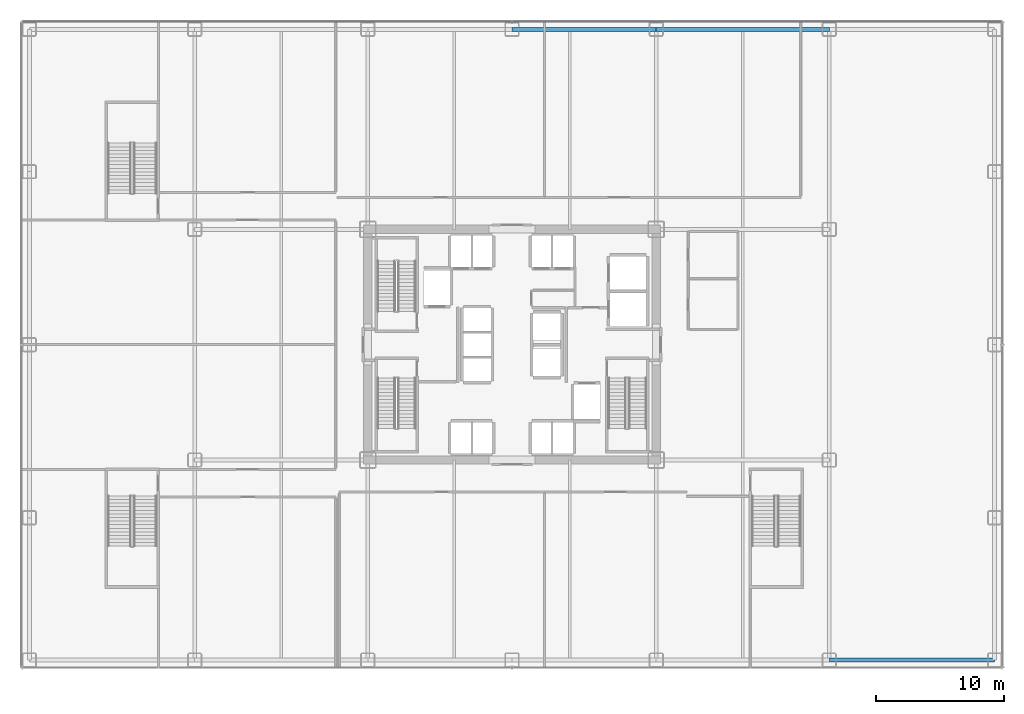
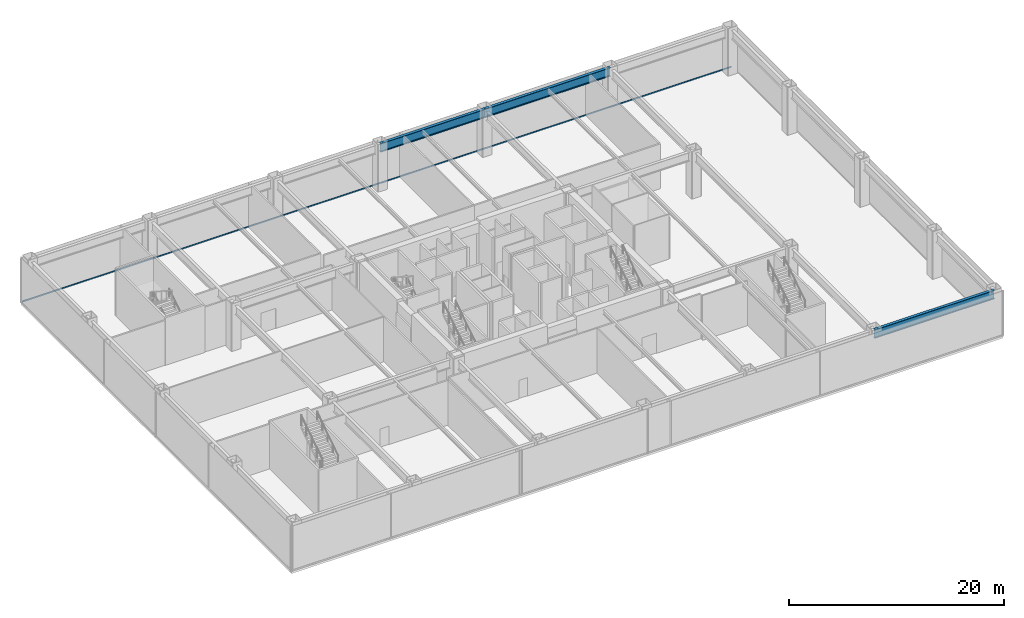
# One storey, part 11 of 24: 3 beams, 1 member, 1 element without a shape of its own.
"""IFC4 building model written with IfcOpenShell, lengths in metres."""

import ifcopenshell
import ifcopenshell.guid

model = None  # the IFC model being written
_history = None  # IfcOwnerHistory: only IFC2X3 demands one
_inside = {}  # id of a spatial element -> (the spatial element, [elements in it])
_under = {}  # id of a project, library or spatial element -> (it, [spatial elements below it])
_declared = {}  # id of a project -> (the project, [libraries it declares])
_typed = {}  # id of a type object -> (the type object, [elements of that type])
_made_of = {}  # id of a material, layer set ... -> (it, [elements and type objects made of it])


def new_model(schema):
    """Start an empty IFC model of exactly this schema.

    Asked for "IFC4X3", IfcOpenShell would pick the latest addendum, in which some entities
    have other attributes; the version numbers below select the first issue.
    IFC2X3 requires an IfcOwnerHistory on every rooted entity: one is made here for all.
    """
    global model, _history
    if schema == "IFC4X3":
        model = ifcopenshell.file(schema_version=(4, 3, 0, 0))
    else:
        model = ifcopenshell.file(schema=schema)
    _inside.clear()
    _under.clear()
    _declared.clear()
    _typed.clear()
    _made_of.clear()
    _history = None
    if model.schema == "IFC2X3":
        org = make("IfcOrganization", Name="unknown")
        user = make(
            "IfcPersonAndOrganization",
            ThePerson=make("IfcPerson", FamilyName="unknown"),
            TheOrganization=org,
        )
        app = make(
            "IfcApplication",
            ApplicationDeveloper=org,
            Version="unknown",
            ApplicationFullName="unknown",
            ApplicationIdentifier="unknown",
        )
        _history = make(
            "IfcOwnerHistory",
            OwningUser=user,
            OwningApplication=app,
            ChangeAction="ADDED",
            CreationDate=0,
        )
    return model


def make(cls, **values):
    """One entity of the class cls with the attributes given. An attribute that is None is left unset."""
    return model.create_entity(
        cls, **{name: value for name, value in values.items() if value is not None}
    )


def rooted(cls, **values):
    """An entity with a GlobalId (a new one), such as an element, a storey or a relation."""
    return make(cls, GlobalId=ifcopenshell.guid.new(), OwnerHistory=_history, **values)


def si_unit(unit_type, name, prefix=None):
    """IfcSIUnit, for example si_unit("LENGTHUNIT", "METRE", prefix="MILLI")."""
    return make("IfcSIUnit", UnitType=unit_type, Prefix=prefix, Name=name)


def assignment(units):
    """IfcUnitAssignment: the units of a project."""
    return None if units is None else make("IfcUnitAssignment", Units=units)


def point(xyz):
    """IfcCartesianPoint."""
    return None if xyz is None else make("IfcCartesianPoint", Coordinates=xyz)


def direction(xyz):
    """IfcDirection."""
    return None if xyz is None else make("IfcDirection", DirectionRatios=xyz)


def frame(location, z_axis=None, x_axis=None):
    """IfcAxis2Placement3D, a coordinate frame: its origin and axes. An axis left out is left unset."""
    return make(
        "IfcAxis2Placement3D",
        Location=point(location),
        Axis=direction(z_axis),
        RefDirection=direction(x_axis),
    )


def frame_2d(location, x_axis=None):
    """IfcAxis2Placement2D, a coordinate frame in the plane: its origin and x axis."""
    return make(
        "IfcAxis2Placement2D", Location=point(location), RefDirection=direction(x_axis)
    )


def origin():
    """The frame at (0, 0, 0) with its axes left unset."""
    return frame((0.0, 0.0, 0.0))


def origin_2d():
    """The frame at (0, 0) in the plane with its x axis left unset."""
    return frame_2d((0.0, 0.0))


def place(relative_to, where):
    """IfcLocalPlacement: puts the frame where relative to a parent placement (None: the world)."""
    return make(
        "IfcLocalPlacement", PlacementRelTo=relative_to, RelativePlacement=where
    )


def context(
    kind, dimensions, precision=None, world=None, true_north=None, identifier=None
):
    """IfcGeometricRepresentationContext, for example the 3D "Model" context."""
    return make(
        "IfcGeometricRepresentationContext",
        ContextIdentifier=identifier,
        ContextType=kind,
        CoordinateSpaceDimension=dimensions,
        Precision=precision,
        WorldCoordinateSystem=world,
        TrueNorth=true_north,
    )


def subcontext(parent, identifier, kind, view, scale=None):
    """IfcGeometricRepresentationSubContext, for example "Body" below "Model"."""
    return make(
        "IfcGeometricRepresentationSubContext",
        ContextIdentifier=identifier,
        ContextType=kind,
        ParentContext=parent,
        TargetScale=scale,
        TargetView=view,
    )


def project(units=None, contexts=None):
    """IfcProject with its units and contexts."""
    return rooted(
        "IfcProject",
        Name="project",
        RepresentationContexts=contexts,
        UnitsInContext=assignment(units),
    )


def spatial(cls, under=None, at=None, **own):
    """A site, building, storey or space (cls), placed at a placement, below another one or the project."""
    s = rooted(cls, ObjectPlacement=at, **own)
    if under is not None:
        _under.setdefault(under.id(), (under, []))[1].append(s)
    return s


def profile(cls, at=None, kind="AREA", **sizes):
    """A parametric profile (cls). Its sizes go by their IFC names, for example OverallWidth=200.0."""
    return make(cls, ProfileType=kind, Position=at, **sizes)


def hollow_rectangle(**sizes):
    """IfcRectangleHollowProfileDef."""
    return profile("IfcRectangleHollowProfileDef", **sizes)


def i_section(**sizes):
    """IfcIShapeProfileDef."""
    return profile("IfcIShapeProfileDef", **sizes)


def extrude(swept, where, along, depth):
    """IfcExtrudedAreaSolid: the profile swept, set in the frame where, extruded along a direction by depth."""
    return make(
        "IfcExtrudedAreaSolid",
        SweptArea=swept,
        Position=where,
        ExtrudedDirection=direction(along),
        Depth=depth,
    )


def shape(context_of_items, identifier, shape_type, items):
    """IfcShapeRepresentation: the items that make up one representation, for example the "Body"."""
    return make(
        "IfcShapeRepresentation",
        ContextOfItems=context_of_items,
        RepresentationIdentifier=identifier,
        RepresentationType=shape_type,
        Items=items,
    )


def source(mapping_origin, context_of_items, identifier, shape_type, items):
    """IfcRepresentationMap: a shape defined once, which mapped items show again and again."""
    return make(
        "IfcRepresentationMap",
        MappingOrigin=mapping_origin,
        MappedRepresentation=shape(context_of_items, identifier, shape_type, items),
    )


def transform(
    local_origin,
    x_axis=None,
    y_axis=None,
    z_axis=None,
    scale=None,
    scale2=None,
    scale3=None,
    uniform=True,
):
    """IfcCartesianTransformationOperator3D, or its non-uniform kind. x_axis, y_axis, z_axis: its Axis1, 2, 3."""
    if uniform:
        return make(
            "IfcCartesianTransformationOperator3D",
            Axis1=direction(x_axis),
            Axis2=direction(y_axis),
            LocalOrigin=point(local_origin),
            Scale=scale,
            Axis3=direction(z_axis),
        )
    return make(
        "IfcCartesianTransformationOperator3DnonUniform",
        Axis1=direction(x_axis),
        Axis2=direction(y_axis),
        LocalOrigin=point(local_origin),
        Scale=scale,
        Axis3=direction(z_axis),
        Scale2=scale2,
        Scale3=scale3,
    )


def mapped(mapping_source, mapping_target):
    """IfcMappedItem: shows the shape of a source again, moved by a transform."""
    return make(
        "IfcMappedItem", MappingSource=mapping_source, MappingTarget=mapping_target
    )


def material(Name=None, Category=None):
    """IfcMaterial."""
    return make("IfcMaterial", Name=Name, Category=Category)


def layer(
    of_material, thickness, ventilated=None, Name=None, Category=None, Priority=None
):
    """IfcMaterialLayer: one layer of a wall or slab, of a material (None: an air gap)."""
    return make(
        "IfcMaterialLayer",
        Material=of_material,
        LayerThickness=thickness,
        IsVentilated=ventilated,
        Name=Name,
        Category=Category,
        Priority=Priority,
    )


def layer_set(layers, Name=None):
    """IfcMaterialLayerSet."""
    return make("IfcMaterialLayerSet", MaterialLayers=layers, LayerSetName=Name)


def material_profile(
    of_material, cross_section, Name=None, Category=None, Priority=None
):
    """IfcMaterialProfile: a cross section and its material."""
    return make(
        "IfcMaterialProfile",
        Name=Name,
        Material=of_material,
        Profile=cross_section,
        Priority=Priority,
        Category=Category,
    )


def profile_set(profiles, Name=None, composite=None):
    """IfcMaterialProfileSet."""
    return make(
        "IfcMaterialProfileSet",
        Name=Name,
        MaterialProfiles=profiles,
        CompositeProfile=composite,
    )


def made_of(thing, what):
    """Note that an element or type object is made of a material, layer set ...; save() writes the relation."""
    if what is not None:
        _made_of.setdefault(what.id(), (what, []))[1].append(thing)
    return thing


def type_object(cls, material=None, **own):
    """A type object (cls), such as IfcWallType, which elements share."""
    return made_of(rooted(cls, **own), material)


def element(
    cls,
    number,
    at=None,
    inside=None,
    cuts=None,
    type_object=None,
    material=None,
    context=None,
    identifier="Body",
    shape_type=None,
    held_by="IfcProductDefinitionShape",
    body=None,
    shapes=None,
    **own,
):
    """One element of the class cls, such as IfcWall. Its Tag is "e" and its number.

    at: its placement. inside: the storey or other place that contains it. cuts: it is an
    opening in that element (IfcRelVoidsElement). A single representation is given by context,
    identifier, shape_type and body (its items); several are given by shapes. held_by: the class
    of the entity that holds the representations. save() writes the other relations.
    """
    e = rooted(cls, Tag="e%d" % number, ObjectPlacement=at, **own)
    if body is not None:
        shapes = [shape(context, identifier, shape_type, body)]
    if shapes is not None:
        e.Representation = make(held_by, Representations=shapes)
    if inside is not None:
        _inside.setdefault(inside.id(), (inside, []))[1].append(e)
    if cuts is not None:
        rooted(
            "IfcRelVoidsElement", RelatingBuildingElement=cuts, RelatedOpeningElement=e
        )
    if type_object is not None:
        _typed.setdefault(type_object.id(), (type_object, []))[1].append(e)
    return made_of(e, material)


def aggregate(whole, parts):
    """IfcRelAggregates: a whole, such as a stair, and the parts it consists of."""
    return rooted("IfcRelAggregates", RelatingObject=whole, RelatedObjects=parts)


def save(model, path):
    """Write the relations noted so far, then the file.

    IfcRelAggregates (storeys below a building ...), IfcRelContainedInSpatialStructure (elements
    in a storey), IfcRelDefinesByType, IfcRelAssociatesMaterial and IfcRelDeclares: one each for
    every whole, place, type object, material and project.
    """
    for whole, parts in _under.values():
        aggregate(whole, parts)
    for where, things in _inside.values():
        rooted(
            "IfcRelContainedInSpatialStructure",
            RelatedElements=things,
            RelatingStructure=where,
        )
    for kind, things in _typed.values():
        rooted("IfcRelDefinesByType", RelatedObjects=things, RelatingType=kind)
    for what, things in _made_of.values():
        rooted("IfcRelAssociatesMaterial", RelatedObjects=things, RelatingMaterial=what)
    for by, libraries in _declared.values():
        rooted("IfcRelDeclares", RelatingContext=by, RelatedDefinitions=libraries)
    model.write(path)


model = new_model("IFC4")

# Units and contexts
model_context = context("Model", 3, precision=1e-05, world=origin(), true_north=direction((0.0, 1.0)))
body_context = subcontext(model_context, "Body", "Model", "MODEL_VIEW")
ifc_project = project(units=[si_unit("LENGTHUNIT", "METRE"), si_unit("AREAUNIT", "SQUARE_METRE"), si_unit("VOLUMEUNIT", "CUBIC_METRE"), si_unit("PLANEANGLEUNIT", "RADIAN"), si_unit("MASSUNIT", "GRAM", prefix="KILO")], contexts=[model_context])

# Site, building, storey
site_placement = place(None, origin())
site = spatial("IfcSite", under=ifc_project, at=site_placement, CompositionType="ELEMENT")
building_placement = place(site_placement, origin())
building = spatial("IfcBuilding", under=site, at=building_placement, Name="Nefas-Gora Pilgrimage Tower", CompositionType="ELEMENT")
storey_placement = place(building_placement, frame((0.0, 0.0, 16.800048828125)))
storey = spatial("IfcBuildingStorey", under=building, at=storey_placement, Name="L03", CompositionType="ELEMENT", Elevation=16.800048828125)

# Beams
ifc_material_1 = material(Name="Steel S460", Category="steel")
ifc_material_profile_1 = material_profile(ifc_material_1, i_section(OverallWidth=0.300048828125, OverallDepth=1.0, WebThickness=0.01904296875, FlangeThickness=0.035888671875, FilletRadius=0.030029296875, at=origin_2d()), Name="HEB 1000")
ifc_profile_set_1 = profile_set([ifc_material_profile_1], Name="Steel S460")
beam_type = type_object("IfcBeamType", Name="BM-POD-HEB1000E", PredefinedType="BEAM", material=ifc_profile_set_1)
shared_shape_1 = source(origin(), body_context, "Body", "SweptSolid", [
    extrude(i_section(OverallWidth=0.300048828125, OverallDepth=1.0, WebThickness=0.01904296875, FlangeThickness=0.035888671875, FilletRadius=0.030029296875, at=origin_2d()), origin(), (0.0, 0.0, 1.0), 12.89990234375),
])
beam_1_placement = place(storey_placement, frame((24.75, -24.60009765625, 4.599853515625), z_axis=(1.0, 0.0, 0.0), x_axis=(0.0, 1.0, 0.0)))
element("IfcBeam", 1, at=beam_1_placement, inside=storey, type_object=beam_type, Name="L03 PG-01E beam", PredefinedType="BEAM", context=body_context, shape_type="MappedRepresentation", body=[
    mapped(shared_shape_1, transform((0.0, 0.0, 0.0), x_axis=(1.0, 0.0, 0.0), y_axis=(0.0, 1.0, 0.0), z_axis=(0.0, 0.0, 1.0), scale=1.0)),
])
shared_shape_2 = source(origin(), body_context, "Body", "SweptSolid", [
    extrude(i_section(OverallWidth=0.300048828125, OverallDepth=1.0, WebThickness=0.01904296875, FlangeThickness=0.035888671875, FilletRadius=0.030029296875, at=origin_2d()), origin(), (0.0, 0.0, 1.0), 13.5),
])
beam_2_placement = place(storey_placement, frame((11.25, 24.60009765625, 4.599853515625), z_axis=(1.0, 0.0, 0.0), x_axis=(0.0, 1.0, 0.0)))
element("IfcBeam", 2, at=beam_2_placement, inside=storey, type_object=beam_type, Name="L03 PG-01E beam", PredefinedType="BEAM", context=body_context, shape_type="MappedRepresentation", body=[
    mapped(shared_shape_2, transform((0.0, 0.0, 0.0), x_axis=(1.0, 0.0, 0.0), y_axis=(0.0, 1.0, 0.0), z_axis=(0.0, 0.0, 1.0), scale=1.0)),
])
shared_shape_3 = source(origin(), body_context, "Body", "SweptSolid", [
    extrude(i_section(OverallWidth=0.300048828125, OverallDepth=1.0, WebThickness=0.01904296875, FlangeThickness=0.035888671875, FilletRadius=0.030029296875, at=origin_2d()), origin(), (0.0, 0.0, 1.0), 11.25),
])
beam_3_placement = place(storey_placement, frame((0.0, 24.60009765625, 4.599853515625), z_axis=(1.0, 0.0, 0.0), x_axis=(0.0, 1.0, 0.0)))
element("IfcBeam", 3, at=beam_3_placement, inside=storey, type_object=beam_type, Name="L03 PG-01E beam", PredefinedType="BEAM", context=body_context, shape_type="MappedRepresentation", body=[
    mapped(shared_shape_3, transform((0.0, 0.0, 0.0), x_axis=(1.0, 0.0, 0.0), y_axis=(0.0, 1.0, 0.0), z_axis=(0.0, 0.0, 1.0), scale=1.0)),
])

# Curtain wall, member
ifc_material_2 = material(Name="Dark ceramic-fritted solar-control aluminium-glass curtain wall", Category="aluminium")
ifc_layer = layer(ifc_material_2, 0.219970703125)
ifc_layer_set = layer_set([ifc_layer], Name="Dark ceramic-fritted solar-control aluminium-glass curtain wall")
curtain_wall_type = type_object("IfcCurtainWallType", Name="CW-SYS-1", PredefinedType="NOTDEFINED", material=ifc_layer_set)
curtain_wall_placement = place(storey_placement, origin())
curtain_wall = element("IfcCurtainWall", 4, at=curtain_wall_placement, inside=storey, type_object=curtain_wall_type, Name="L03 Unitised Curtain Wall CW1", PredefinedType="NOTDEFINED")
ifc_material_3 = material(Name="Anodised architectural aluminium", Category="aluminium")
ifc_material_profile_2 = material_profile(ifc_material_3, hollow_rectangle(XDim=0.080078125, YDim=0.159912109375, WallThickness=0.00439453125, InnerFilletRadius=0.00439453125, OuterFilletRadius=0.009033203125, at=origin_2d()), Name="ALU TRANSOM 80x160")
ifc_profile_set_2 = profile_set([ifc_material_profile_2], Name="Anodised architectural aluminium")
member_type = type_object("IfcMemberType", Name="CWM-TRN-1", PredefinedType="USERDEFINED", material=ifc_profile_set_2)
shared_shape_4 = source(origin(), body_context, "Body", "SweptSolid", [
    extrude(hollow_rectangle(XDim=0.080078125, YDim=0.159912109375, WallThickness=0.00439453125, InnerFilletRadius=0.00439453125, OuterFilletRadius=0.009033203125, at=origin_2d()), origin(), (0.0, 0.0, 1.0), 76.31982421875),
])
member_placement = place(storey_placement, frame((38.159912109375, 25.199951171875, 0.050048828125), z_axis=(-1.0, 0.0, 0.0), x_axis=(0.0, -1.0, 0.0)))
member = element("IfcMember", 5, at=member_placement, type_object=member_type, Name="CW1 Spandrel Transom", ObjectType="TRANSOM", PredefinedType="USERDEFINED", context=body_context, shape_type="MappedRepresentation", body=[
    mapped(shared_shape_4, transform((0.0, 0.0, 0.0), x_axis=(1.0, 0.0, 0.0), y_axis=(0.0, 1.0, 0.0), z_axis=(0.0, 0.0, 1.0), scale=1.0)),
])
aggregate(curtain_wall, [member])

save(model, "model.ifc")
